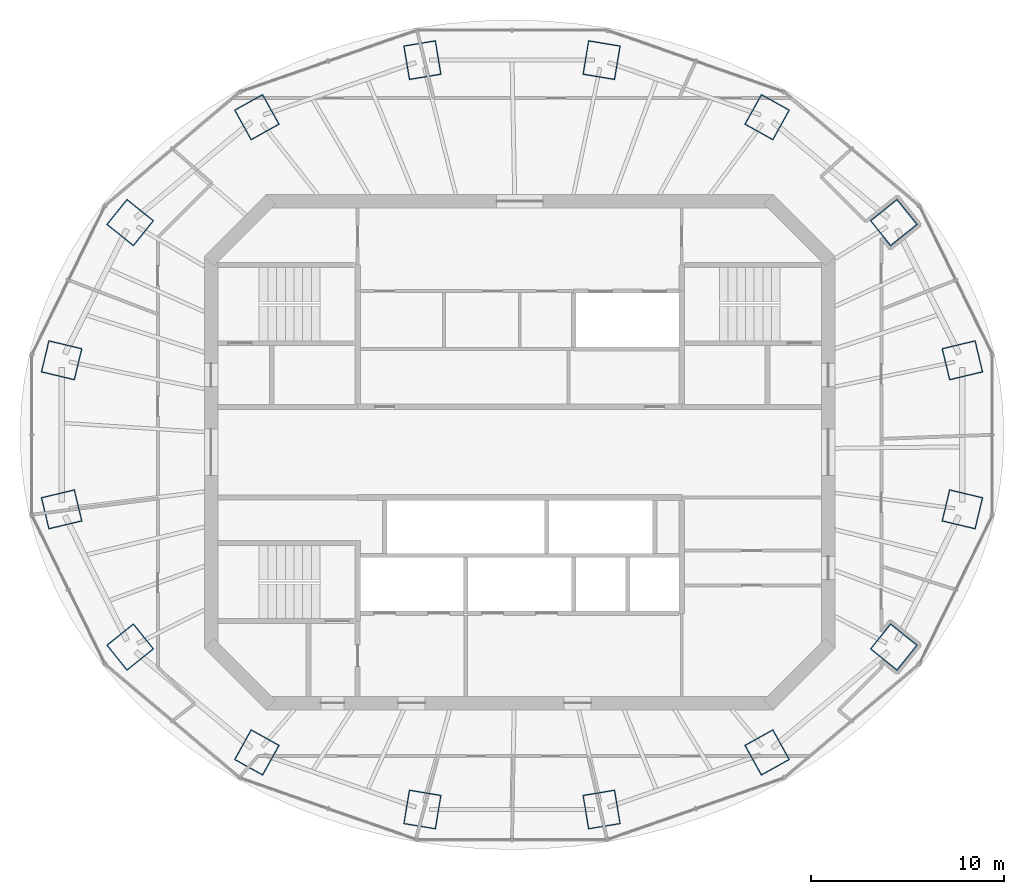
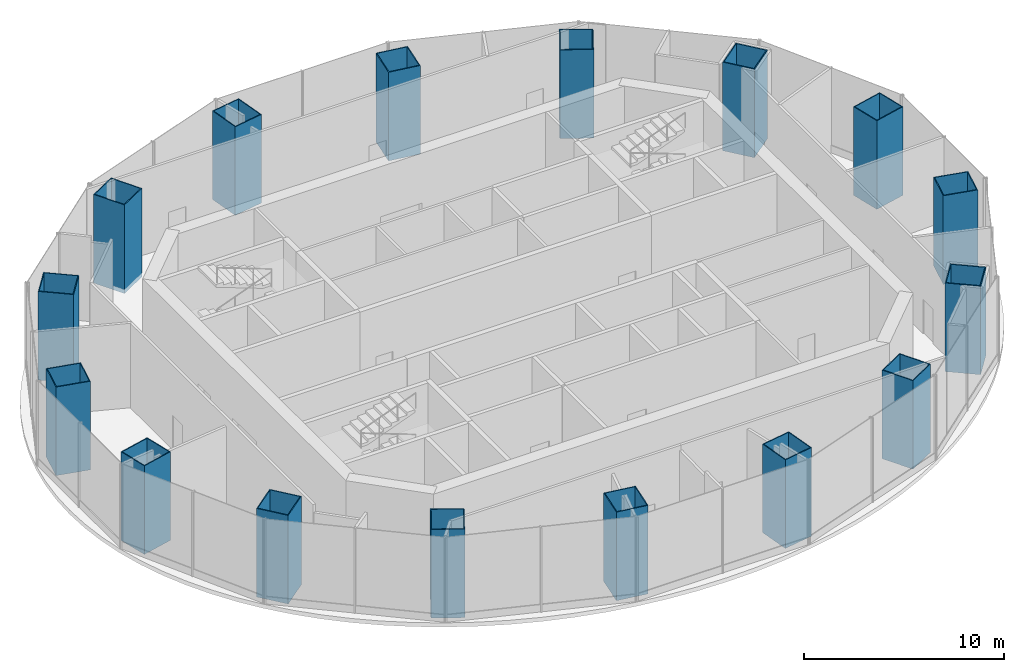
# One storey, part 1 of 11: 16 columns.
"""IFC4 building model written with IfcOpenShell, lengths in metres."""

from ifc_helpers import new_model, si_unit, direction, frame, origin, origin_2d, place, context, subcontext, project, spatial, rectangle, hollow_rectangle, extrude, material, material_profile, profile_set, type_object, element, save


model = new_model("IFC4")

# Units and contexts
model_context = context("Model", 3, precision=1e-05, world=origin(), true_north=direction((0.0, 1.0)))
body_context = subcontext(model_context, "Body", "Model", "MODEL_VIEW")
ifc_project = project(units=[si_unit("LENGTHUNIT", "METRE"), si_unit("AREAUNIT", "SQUARE_METRE"), si_unit("VOLUMEUNIT", "CUBIC_METRE"), si_unit("PLANEANGLEUNIT", "RADIAN"), si_unit("MASSUNIT", "GRAM", prefix="KILO")], contexts=[model_context])

# Site, building, storey
site_placement = place(None, origin())
site = spatial("IfcSite", under=ifc_project, at=site_placement, CompositionType="ELEMENT")
building_placement = place(site_placement, origin())
building = spatial("IfcBuilding", under=site, at=building_placement, Name="Marenthal Gate Tower", CompositionType="ELEMENT")
storey_placement = place(building_placement, frame((0.0, 0.0, 396.550048828125)))
storey = spatial("IfcBuildingStorey", under=building, at=storey_placement, Name="L90", CompositionType="ELEMENT", Elevation=396.550048828125)

# Columns
ifc_material_1 = material(Name="Steel S460", Category="steel")
ifc_material_profile_1 = material_profile(ifc_material_1, hollow_rectangle(XDim=1.699951171875, YDim=1.800048828125, WallThickness=0.050048828125, at=origin_2d()), Name="CFT BOX 1800X1700X50")
ifc_material_2 = material(Name="Concrete 70 MPa", Category="concrete")
ifc_material_profile_2 = material_profile(ifc_material_2, rectangle(XDim=1.60009765625, YDim=1.699951171875, at=origin_2d()), Name="CFT BOX 1800X1700X50 INFILL")
ifc_profile_set = profile_set([ifc_material_profile_1, ifc_material_profile_2], Name="Steel S460 shell, Concrete 70 MPa infill")
column_type = type_object("IfcColumnType", Name="CFT BOX 1800X1700X50", PredefinedType="COLUMN", material=ifc_profile_set)
for number, where, z_axis, x_axis, name in (
    (1, (22.942626953125, 4.7626953125, -0.25), (0.0, 0.0, 1.0), (0.23254240314, -0.972586258767, 0.0), "COL-L90-01"),
    (2, (19.388916015625, 11.900390625, -0.25), (0.0, 0.0, 1.0), (0.626198386629, -0.779663761235, 0.0), "COL-L90-02"),
    (3, (12.822509765625, 17.363037109375, -0.25), (0.0, 0.0, 1.0), (0.874036923868, -0.485859502032, 0.0), "COL-L90-03"),
    (4, (4.2431640625, 20.319580078125, -0.25), (0.0, 0.0, 1.0), (0.98658270668, -0.163262251851, 0.0), "COL-L90-04"),
    (5, (-5.043212890625, 20.319580078125, -0.25), (0.0, 0.0, 1.0), (0.98658270668, 0.163262251851, 0.0), "COL-L90-05"),
    (6, (-13.62255859375, 17.363037109375, -0.25), (0.0, 0.0, 1.0), (0.874036923868, 0.485859502032, 0.0), "COL-L90-06"),
    (7, (-20.18896484375, 11.900390625, -0.25), (0.0, 0.0, 1.0), (0.626198386629, 0.779663761235, 0.0), "COL-L90-07"),
    (8, (-23.74267578125, 4.7626953125, -0.25), (0.0, 0.0, 1.0), (0.23254240314, 0.972586258767, 0.0), "COL-L90-08"),
    (9, (-23.74267578125, -2.962890625, -0.25), (0.0, 0.0, 1.0), (-0.23254240314, 0.972586258767, 0.0), "COL-L90-09"),
    (10, (-20.18896484375, -10.100341796875, -0.25), (0.0, 0.0, 1.0), (-0.626198386629, 0.779663761235, 0.0), "COL-L90-10"),
    (11, (-13.62255859375, -15.56298828125, -0.25), (0.0, 0.0, 1.0), (-0.874036923868, 0.485859502032, 0.0), "COL-L90-11"),
    (12, (-5.043212890625, -18.51953125, -0.25), (0.0, 0.0, 1.0), (-0.98658270668, 0.163262251851, 0.0), "COL-L90-12"),
    (13, (4.2431640625, -18.51953125, -0.25), (0.0, 0.0, 1.0), (-0.98658270668, -0.163262251851, 0.0), "COL-L90-13"),
    (14, (12.822509765625, -15.56298828125, -0.25), (0.0, 0.0, 1.0), (-0.874036923868, -0.485859502032, 0.0), "COL-L90-14"),
    (15, (19.388916015625, -10.100341796875, -0.25), (0.0, 0.0, 1.0), (-0.626198386629, -0.779663761235, 0.0), "COL-L90-15"),
    (16, (22.942626953125, -2.962890625, -0.25), (0.0, 0.0, 1.0), (-0.23254240314, -0.972586258767, 0.0), "COL-L90-16"),
):
    element("IfcColumn", number, at=place(storey_placement, frame(where, z_axis=z_axis, x_axis=x_axis)), inside=storey, type_object=column_type, Name=name, PredefinedType="COLUMN", context=body_context, shape_type="SweptSolid", body=[
        extrude(hollow_rectangle(XDim=1.699951171875, YDim=1.800048828125, WallThickness=0.050048828125, at=origin_2d()), origin(), (0.0, 0.0, 1.0), 5.39990234375),
    ])

save(model, "model.ifc")
